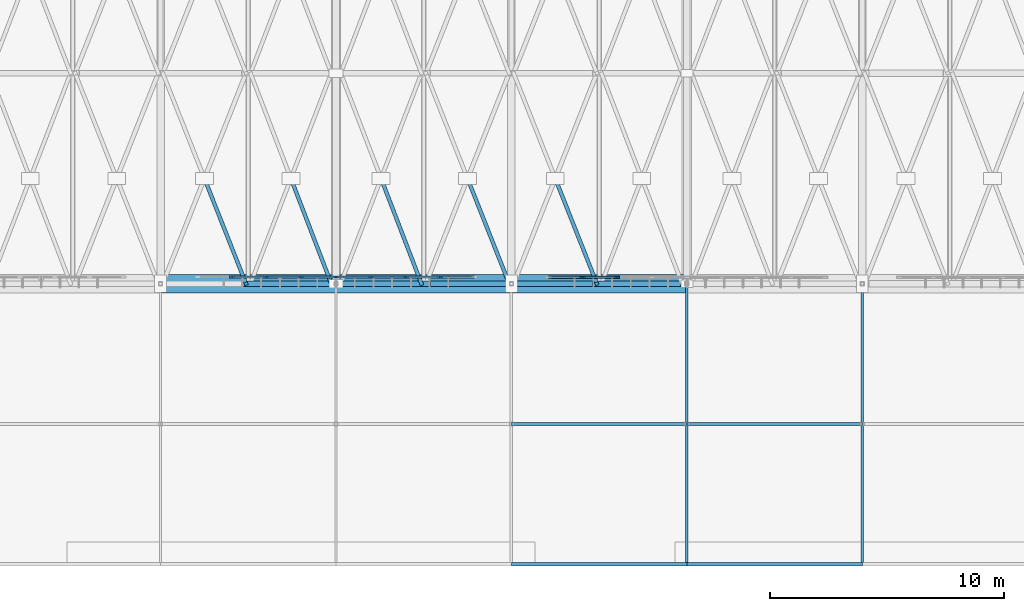
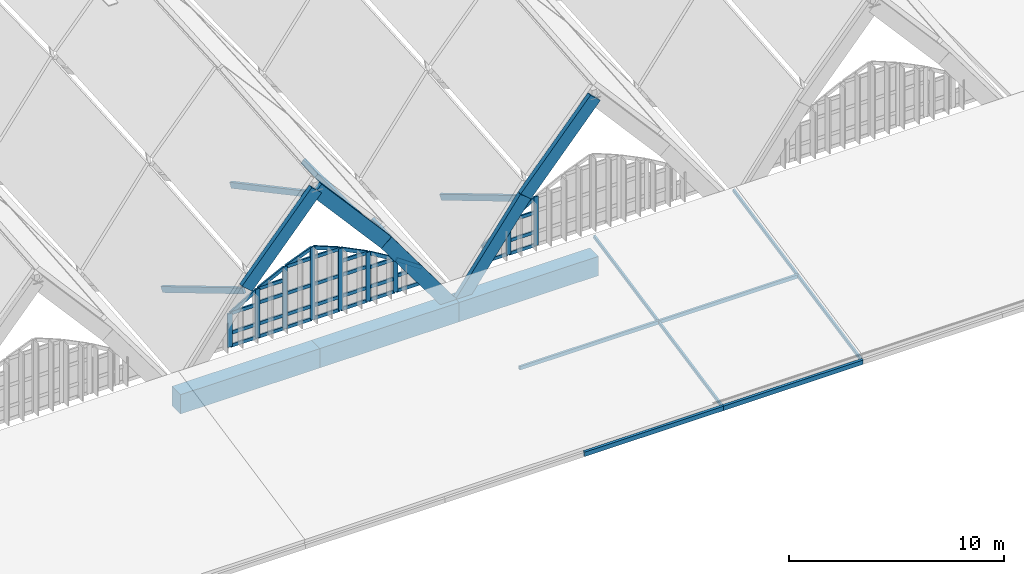
# One storey, part 34 of 93: 58 members, 8 beams, 2 elements without a shape of their own.
"""IFC4 building model written with IfcOpenShell, lengths in metres."""

from ifc_helpers import new_model, si_unit, direction, frame, origin, origin_2d, place, context, subcontext, project, spatial, rectangle, hollow_rectangle, extrude, material, material_profile, profile_set, type_object, element, aggregate, save


model = new_model("IFC4")

# Units and contexts
model_context = context("Model", 3, precision=1e-05, world=origin(), true_north=direction((0.0, 1.0)))
body_context = subcontext(model_context, "Body", "Model", "MODEL_VIEW")
ifc_project = project(units=[si_unit("LENGTHUNIT", "METRE"), si_unit("AREAUNIT", "SQUARE_METRE"), si_unit("VOLUMEUNIT", "CUBIC_METRE"), si_unit("PLANEANGLEUNIT", "RADIAN"), si_unit("MASSUNIT", "GRAM", prefix="KILO")], contexts=[model_context])

# Site, building, storey
site_placement = place(None, origin())
site = spatial("IfcSite", under=ifc_project, at=site_placement, CompositionType="ELEMENT")
building_placement = place(site_placement, origin())
building = spatial("IfcBuilding", under=site, at=building_placement, Name="Vourika Railside Aquatics Centre", CompositionType="ELEMENT")
storey_placement = place(building_placement, frame((0.0, 0.0, 21.89990234375)))
storey = spatial("IfcBuildingStorey", under=building, at=storey_placement, Name="Roof", CompositionType="ELEMENT", Elevation=21.89990234375)

# Beams
ifc_material_1 = material(Name="Glulam GL32h", Category="wood")
ifc_material_profile_1 = material_profile(ifc_material_1, rectangle(XDim=0.239990234375, YDim=0.719970703125, at=origin_2d()), Name="GL32h 240x720")
ifc_profile_set_1 = profile_set([ifc_material_profile_1], Name="Glulam GL32h")
beam_type_1 = type_object("IfcBeamType", Name="BM-GL-ARCH-240x720", PredefinedType="BEAM", material=ifc_profile_set_1)
for number, where, z_axis, x_axis, name in (
    (1, (99.75, 12.0, -6.599853515625), (0.657258623263, 0.0, 0.75366511273), (0.0, 1.0, 0.0), "Pointed Glulam Vault Arch Rib GAR-0138"),
    (2, (103.5, 12.0, -2.2998046875), (0.657258623263, 0.0, -0.75366511273), (0.0, 1.0, 0.0), "Pointed Glulam Vault Arch Rib GAR-0139"),
):
    element("IfcBeam", number, at=place(storey_placement, frame(where, z_axis=z_axis, x_axis=x_axis)), inside=storey, type_object=beam_type_1, Name=name, PredefinedType="BEAM", context=body_context, shape_type="SweptSolid", body=[
        extrude(rectangle(XDim=0.239990234375, YDim=0.719970703125, at=origin_2d()), origin(), (0.0, 0.0, 1.0), 5.70556640625),
    ])
for number, where, z_axis, x_axis, name in (
    (3, (107.25, 12.0, -6.599853515625), (0.592383087934, 0.0, -0.805656426233), (0.0, 1.0, 0.0), "Pointed Glulam Vault Arch Rib GAR-0140"),
    (4, (111.0, 12.0, -11.699951171875), (0.592383087934, 0.0, 0.805656426233), (0.0, 1.0, 0.0), "Pointed Glulam Vault Arch Rib GAR-0171"),
):
    element("IfcBeam", number, at=place(storey_placement, frame(where, z_axis=z_axis, x_axis=x_axis)), inside=storey, type_object=beam_type_1, Name=name, PredefinedType="BEAM", context=body_context, shape_type="SweptSolid", body=[
        extrude(rectangle(XDim=0.239990234375, YDim=0.719970703125, at=origin_2d()), origin(), (0.0, 0.0, 1.0), 6.330322265625),
    ])
beam_placement = place(storey_placement, frame((114.75, 12.0, -6.599853515625), z_axis=(0.657258623263, 0.0, 0.75366511273), x_axis=(0.0, 1.0, 0.0)))
element("IfcBeam", 5, at=beam_placement, inside=storey, type_object=beam_type_1, Name="Pointed Glulam Vault Arch Rib GAR-0172", PredefinedType="BEAM", context=body_context, shape_type="SweptSolid", body=[
    extrude(rectangle(XDim=0.239990234375, YDim=0.719970703125, at=origin_2d()), origin(), (0.0, 0.0, 1.0), 5.70556640625),
])
ifc_material_2 = material(Name="Concrete C40/50", Category="concrete")
ifc_material_profile_2 = material_profile(ifc_material_2, rectangle(XDim=0.800048828125, YDim=1.10009765625, at=origin_2d()), Name="RC 800x1100")
ifc_profile_set_2 = profile_set([ifc_material_profile_2], Name="Concrete C40/50")
beam_type_2 = type_object("IfcBeamType", Name="BM-RING-800x1100", PredefinedType="BEAM", material=ifc_profile_set_2)
for number, where, z_axis, x_axis, name in (
    (6, (96.0, 12.0, -11.699951171875), (1.0, 0.0, 0.0), (0.0, 1.0, 0.0), "Vault Springing Ring Beam S (96.0-103.5)"),
    (7, (103.5, 12.0, -11.699951171875), (1.0, 0.0, 0.0), (0.0, 1.0, 0.0), "Vault Springing Ring Beam S (103.5-111.0)"),
    (8, (111.0, 12.0, -11.699951171875), (1.0, 0.0, 0.0), (0.0, 1.0, 0.0), "Vault Springing Ring Beam S (111.0-118.5)"),
):
    element("IfcBeam", number, at=place(storey_placement, frame(where, z_axis=z_axis, x_axis=x_axis)), inside=storey, type_object=beam_type_2, Name=name, PredefinedType="BEAM", context=body_context, shape_type="SweptSolid", body=[
        extrude(rectangle(XDim=0.800048828125, YDim=1.10009765625, at=origin_2d()), origin(), (0.0, 0.0, 1.0), 7.5),
    ])

# Curtain wall, members
ifc_material_3 = material(Name="Anodized thermally broken aluminium", Category="aluminium")
curtain_wall_type_1 = type_object("IfcCurtainWallType", Name="CW-VLTS1", PredefinedType="NOTDEFINED", material=ifc_material_3)
curtain_wall_1_placement = place(storey_placement, origin())
curtain_wall_1 = element("IfcCurtainWall", 9, at=curtain_wall_1_placement, inside=storey, type_object=curtain_wall_type_1, Name="South Boulevard Pointed-Arch Clerestory Curtain Wall Bay 6", PredefinedType="NOTDEFINED")
ifc_material_4 = material(Name="Anodized aluminium mullion", Category="aluminium")
ifc_material_profile_3 = material_profile(ifc_material_4, rectangle(XDim=0.08203125, YDim=0.235107421875, at=origin_2d()), Name="ALU-M 82x235")
ifc_profile_set_3 = profile_set([ifc_material_profile_3], Name="Anodized aluminium mullion")
member_type_1 = type_object("IfcMemberType", Name="CWM-VLTS1", PredefinedType="MULLION", material=ifc_profile_set_3)
member_1_placement = place(storey_placement, frame((114.03759765625, 12.280029296875, -9.8798828125), z_axis=(0.0, 0.0, 1.0), x_axis=(0.0, 1.0, 0.0)))
member_1 = element("IfcMember", 10, at=member_1_placement, type_object=member_type_1, Name="CW03 arch mullion 2", PredefinedType="MULLION", context=body_context, shape_type="SweptSolid", body=[
    extrude(rectangle(XDim=0.08203125, YDim=0.235107421875, at=origin_2d()), origin(), (0.0, 0.0, 1.0), 1.906005859375),
])
member_2_placement = place(storey_placement, frame((115.52490234375, 12.280029296875, -9.8798828125), z_axis=(0.0, 0.0, 1.0), x_axis=(0.0, 1.0, 0.0)))
member_2 = element("IfcMember", 11, at=member_2_placement, type_object=member_type_1, Name="CW03 arch mullion 3", PredefinedType="MULLION", context=body_context, shape_type="SweptSolid", body=[
    extrude(rectangle(XDim=0.08203125, YDim=0.235107421875, at=origin_2d()), origin(), (0.0, 0.0, 1.0), 2.7890625),
])

curtain_wall_type_2 = type_object("IfcCurtainWallType", Name="CW-VLTS2", PredefinedType="NOTDEFINED", material=ifc_material_3)
curtain_wall_2_placement = place(storey_placement, origin())
curtain_wall_2 = element("IfcCurtainWall", 12, at=curtain_wall_2_placement, inside=storey, type_object=curtain_wall_type_2, Name="South Boulevard Pointed-Arch Clerestory Curtain Wall Bay 5", PredefinedType="NOTDEFINED")
ifc_material_profile_4 = material_profile(ifc_material_4, rectangle(XDim=0.087890625, YDim=0.2451171875, at=origin_2d()), Name="ALU-M 88x245")
ifc_profile_set_4 = profile_set([ifc_material_profile_4], Name="Anodized aluminium mullion")
member_type_2 = type_object("IfcMemberType", Name="CWM-VLTS2", PredefinedType="MULLION", material=ifc_profile_set_4)
member_3_placement = place(storey_placement, frame((99.03759765625, 12.280029296875, -9.8798828125), z_axis=(0.0, 0.0, 1.0), x_axis=(0.0, 1.0, 0.0)))
member_3 = element("IfcMember", 13, at=member_3_placement, type_object=member_type_2, Name="CW04 arch mullion 2", PredefinedType="MULLION", context=body_context, shape_type="SweptSolid", body=[
    extrude(rectangle(XDim=0.087890625, YDim=0.2451171875, at=origin_2d()), origin(), (0.0, 0.0, 1.0), 1.906005859375),
])
member_4_placement = place(storey_placement, frame((100.52490234375, 12.280029296875, -9.8798828125), z_axis=(0.0, 0.0, 1.0), x_axis=(0.0, 1.0, 0.0)))
member_4 = element("IfcMember", 14, at=member_4_placement, type_object=member_type_2, Name="CW04 arch mullion 3", PredefinedType="MULLION", context=body_context, shape_type="SweptSolid", body=[
    extrude(rectangle(XDim=0.087890625, YDim=0.2451171875, at=origin_2d()), origin(), (0.0, 0.0, 1.0), 2.7890625),
])
member_5_placement = place(storey_placement, frame((102.012451171875, 12.280029296875, -9.8798828125), z_axis=(0.0, 0.0, 1.0), x_axis=(0.0, 1.0, 0.0)))
member_5 = element("IfcMember", 15, at=member_5_placement, type_object=member_type_2, Name="CW04 arch mullion 4", PredefinedType="MULLION", context=body_context, shape_type="SweptSolid", body=[
    extrude(rectangle(XDim=0.087890625, YDim=0.2451171875, at=origin_2d()), origin(), (0.0, 0.0, 1.0), 3.531005859375),
])
member_6_placement = place(storey_placement, frame((103.5, 12.280029296875, -9.8798828125), z_axis=(0.0, 0.0, 1.0), x_axis=(0.0, 1.0, 0.0)))
member_6 = element("IfcMember", 16, at=member_6_placement, type_object=member_type_2, Name="CW04 arch mullion 5", PredefinedType="MULLION", context=body_context, shape_type="SweptSolid", body=[
    extrude(rectangle(XDim=0.087890625, YDim=0.2451171875, at=origin_2d()), origin(), (0.0, 0.0, 1.0), 4.1298828125),
])
member_7_placement = place(storey_placement, frame((104.987548828125, 12.280029296875, -9.8798828125), z_axis=(0.0, 0.0, 1.0), x_axis=(0.0, 1.0, 0.0)))
member_7 = element("IfcMember", 17, at=member_7_placement, type_object=member_type_2, Name="CW04 arch mullion 6", PredefinedType="MULLION", context=body_context, shape_type="SweptSolid", body=[
    extrude(rectangle(XDim=0.087890625, YDim=0.2451171875, at=origin_2d()), origin(), (0.0, 0.0, 1.0), 3.531005859375),
])
member_8_placement = place(storey_placement, frame((106.47509765625, 12.280029296875, -9.8798828125), z_axis=(0.0, 0.0, 1.0), x_axis=(0.0, 1.0, 0.0)))
member_8 = element("IfcMember", 18, at=member_8_placement, type_object=member_type_2, Name="CW04 arch mullion 7", PredefinedType="MULLION", context=body_context, shape_type="SweptSolid", body=[
    extrude(rectangle(XDim=0.087890625, YDim=0.2451171875, at=origin_2d()), origin(), (0.0, 0.0, 1.0), 2.7890625),
])
member_9_placement = place(storey_placement, frame((107.96240234375, 12.280029296875, -9.8798828125), z_axis=(0.0, 0.0, 1.0), x_axis=(0.0, 1.0, 0.0)))
member_9 = element("IfcMember", 19, at=member_9_placement, type_object=member_type_2, Name="CW04 arch mullion 8", PredefinedType="MULLION", context=body_context, shape_type="SweptSolid", body=[
    extrude(rectangle(XDim=0.087890625, YDim=0.2451171875, at=origin_2d()), origin(), (0.0, 0.0, 1.0), 1.906005859375),
])

# Member
ifc_material_5 = material(Name="Anodized aluminium transom", Category="aluminium")
ifc_material_profile_5 = material_profile(ifc_material_5, rectangle(XDim=0.08203125, YDim=0.18505859375, at=origin_2d()), Name="ALU-T 82x185")
ifc_profile_set_5 = profile_set([ifc_material_profile_5], Name="Anodized aluminium transom")
member_type_3 = type_object("IfcMemberType", Name="CWT-VLTS1", PredefinedType="USERDEFINED", material=ifc_profile_set_5)
member_10_placement = place(storey_placement, frame((112.632080078125, 12.280029296875, -9.8388671875), z_axis=(1.0, 0.0, 0.0), x_axis=(0.0, 1.0, 0.0)))
member_10 = element("IfcMember", 20, at=member_10_placement, type_object=member_type_3, Name="CW03 transom 1.1", ObjectType="TRANSOM", PredefinedType="USERDEFINED", context=body_context, shape_type="SweptSolid", body=[
    extrude(rectangle(XDim=0.08203125, YDim=0.18505859375, at=origin_2d()), origin(), (0.0, 0.0, 1.0), 1.364501953125),
])

member_11_placement = place(storey_placement, frame((112.632080078125, 12.280029296875, -8.98095703125), z_axis=(1.0, 0.0, 0.0), x_axis=(0.0, 1.0, 0.0)))
member_11 = element("IfcMember", 21, at=member_11_placement, type_object=member_type_3, Name="CW03 transom 1.2", ObjectType="TRANSOM", PredefinedType="USERDEFINED", context=body_context, shape_type="SweptSolid", body=[
    extrude(rectangle(XDim=0.08203125, YDim=0.18505859375, at=origin_2d()), origin(), (0.0, 0.0, 1.0), 1.364501953125),
])

member_12_placement = place(storey_placement, frame((112.632080078125, 12.280029296875, -8.98095703125), z_axis=(0.823796708212, 0.0, 0.566885335442), x_axis=(0.0, 1.0, 0.0)))
member_12 = element("IfcMember", 22, at=member_12_placement, type_object=member_type_3, Name="CW03 arch chord transom 1", ObjectType="TRANSOM", PredefinedType="USERDEFINED", context=body_context, shape_type="SweptSolid", body=[
    extrude(rectangle(XDim=0.08203125, YDim=0.18505859375, at=origin_2d()), origin(), (0.0, 0.0, 1.0), 1.65625),
])

member_13_placement = place(storey_placement, frame((114.07861328125, 12.280029296875, -9.8388671875), z_axis=(1.0, 0.0, 0.0), x_axis=(0.0, 1.0, 0.0)))
member_13 = element("IfcMember", 23, at=member_13_placement, type_object=member_type_3, Name="CW03 transom 2.1", ObjectType="TRANSOM", PredefinedType="USERDEFINED", context=body_context, shape_type="SweptSolid", body=[
    extrude(rectangle(XDim=0.08203125, YDim=0.18505859375, at=origin_2d()), origin(), (0.0, 0.0, 1.0), 1.4052734375),
])

member_14_placement = place(storey_placement, frame((114.07861328125, 12.280029296875, -9.099853515625), z_axis=(1.0, 0.0, 0.0), x_axis=(0.0, 1.0, 0.0)))
member_14 = element("IfcMember", 24, at=member_14_placement, type_object=member_type_3, Name="CW03 transom 2.2", ObjectType="TRANSOM", PredefinedType="USERDEFINED", context=body_context, shape_type="SweptSolid", body=[
    extrude(rectangle(XDim=0.08203125, YDim=0.18505859375, at=origin_2d()), origin(), (0.0, 0.0, 1.0), 1.4052734375),
])

member_15_placement = place(storey_placement, frame((114.07861328125, 12.280029296875, -7.989013671875), z_axis=(1.0, 0.0, 0.0), x_axis=(0.0, 1.0, 0.0)))
member_15 = element("IfcMember", 25, at=member_15_placement, type_object=member_type_3, Name="CW03 transom 2.3", ObjectType="TRANSOM", PredefinedType="USERDEFINED", context=body_context, shape_type="SweptSolid", body=[
    extrude(rectangle(XDim=0.08203125, YDim=0.18505859375, at=origin_2d()), origin(), (0.0, 0.0, 1.0), 1.4052734375),
])

member_16_placement = place(storey_placement, frame((114.07861328125, 12.280029296875, -7.989013671875), z_axis=(0.859633394337, 0.0, 0.510911369359), x_axis=(0.0, 1.0, 0.0)))
member_16 = element("IfcMember", 26, at=member_16_placement, type_object=member_type_3, Name="CW03 arch chord transom 2", ObjectType="TRANSOM", PredefinedType="USERDEFINED", context=body_context, shape_type="SweptSolid", body=[
    extrude(rectangle(XDim=0.08203125, YDim=0.18505859375, at=origin_2d()), origin(), (0.0, 0.0, 1.0), 1.634765625),
])

aggregate(curtain_wall_1, [member_1, member_2, member_10, member_11, member_12, member_13, member_14, member_15, member_16])

ifc_material_profile_6 = material_profile(ifc_material_5, rectangle(XDim=0.087890625, YDim=0.19189453125, at=origin_2d()), Name="ALU-T 88x192")
ifc_profile_set_6 = profile_set([ifc_material_profile_6], Name="Anodized aluminium transom")
member_type_4 = type_object("IfcMemberType", Name="CWT-VLTS2", PredefinedType="USERDEFINED", material=ifc_profile_set_6)
member_17_placement = place(storey_placement, frame((99.08154296875, 12.280029296875, -9.8359375), z_axis=(1.0, 0.0, 0.0), x_axis=(0.0, 1.0, 0.0)))
member_17 = element("IfcMember", 27, at=member_17_placement, type_object=member_type_4, Name="CW04 transom 2.1", ObjectType="TRANSOM", PredefinedType="USERDEFINED", context=body_context, shape_type="SweptSolid", body=[
    extrude(rectangle(XDim=0.087890625, YDim=0.19189453125, at=origin_2d()), origin(), (0.0, 0.0, 1.0), 1.3994140625),
])

member_18_placement = place(storey_placement, frame((99.08154296875, 12.280029296875, -9.099853515625), z_axis=(1.0, 0.0, 0.0), x_axis=(0.0, 1.0, 0.0)))
member_18 = element("IfcMember", 28, at=member_18_placement, type_object=member_type_4, Name="CW04 transom 2.2", ObjectType="TRANSOM", PredefinedType="USERDEFINED", context=body_context, shape_type="SweptSolid", body=[
    extrude(rectangle(XDim=0.087890625, YDim=0.19189453125, at=origin_2d()), origin(), (0.0, 0.0, 1.0), 1.3994140625),
])

member_19_placement = place(storey_placement, frame((99.08154296875, 12.280029296875, -7.989990234375), z_axis=(1.0, 0.0, 0.0), x_axis=(0.0, 1.0, 0.0)))
member_19 = element("IfcMember", 29, at=member_19_placement, type_object=member_type_4, Name="CW04 transom 2.3", ObjectType="TRANSOM", PredefinedType="USERDEFINED", context=body_context, shape_type="SweptSolid", body=[
    extrude(rectangle(XDim=0.087890625, YDim=0.19189453125, at=origin_2d()), origin(), (0.0, 0.0, 1.0), 1.3994140625),
])

member_20_placement = place(storey_placement, frame((99.08154296875, 12.280029296875, -7.989990234375), z_axis=(0.859813585162, 0.0, 0.510608067671), x_axis=(0.0, 1.0, 0.0)))
member_20 = element("IfcMember", 30, at=member_20_placement, type_object=member_type_4, Name="CW04 arch chord transom 2", ObjectType="TRANSOM", PredefinedType="USERDEFINED", context=body_context, shape_type="SweptSolid", body=[
    extrude(rectangle(XDim=0.087890625, YDim=0.19189453125, at=origin_2d()), origin(), (0.0, 0.0, 1.0), 1.627685546875),
])

member_21_placement = place(storey_placement, frame((100.569091796875, 12.280029296875, -9.8359375), z_axis=(1.0, 0.0, 0.0), x_axis=(0.0, 1.0, 0.0)))
member_21 = element("IfcMember", 31, at=member_21_placement, type_object=member_type_4, Name="CW04 transom 3.1", ObjectType="TRANSOM", PredefinedType="USERDEFINED", context=body_context, shape_type="SweptSolid", body=[
    extrude(rectangle(XDim=0.087890625, YDim=0.19189453125, at=origin_2d()), origin(), (0.0, 0.0, 1.0), 1.3994140625),
])

member_22_placement = place(storey_placement, frame((100.569091796875, 12.280029296875, -9.099853515625), z_axis=(1.0, 0.0, 0.0), x_axis=(0.0, 1.0, 0.0)))
member_22 = element("IfcMember", 32, at=member_22_placement, type_object=member_type_4, Name="CW04 transom 3.2", ObjectType="TRANSOM", PredefinedType="USERDEFINED", context=body_context, shape_type="SweptSolid", body=[
    extrude(rectangle(XDim=0.087890625, YDim=0.19189453125, at=origin_2d()), origin(), (0.0, 0.0, 1.0), 1.3994140625),
])

member_23_placement = place(storey_placement, frame((100.569091796875, 12.280029296875, -7.89990234375), z_axis=(1.0, 0.0, 0.0), x_axis=(0.0, 1.0, 0.0)))
member_23 = element("IfcMember", 33, at=member_23_placement, type_object=member_type_4, Name="CW04 transom 3.3", ObjectType="TRANSOM", PredefinedType="USERDEFINED", context=body_context, shape_type="SweptSolid", body=[
    extrude(rectangle(XDim=0.087890625, YDim=0.19189453125, at=origin_2d()), origin(), (0.0, 0.0, 1.0), 1.3994140625),
])

member_24_placement = place(storey_placement, frame((100.569091796875, 12.280029296875, -7.11083984375), z_axis=(1.0, 0.0, 0.0), x_axis=(0.0, 1.0, 0.0)))
member_24 = element("IfcMember", 34, at=member_24_placement, type_object=member_type_4, Name="CW04 transom 3.4", ObjectType="TRANSOM", PredefinedType="USERDEFINED", context=body_context, shape_type="SweptSolid", body=[
    extrude(rectangle(XDim=0.087890625, YDim=0.19189453125, at=origin_2d()), origin(), (0.0, 0.0, 1.0), 1.3994140625),
])

member_25_placement = place(storey_placement, frame((100.569091796875, 12.280029296875, -7.11083984375), z_axis=(0.894863891939, 0.0, 0.446339125446), x_axis=(0.0, 1.0, 0.0)))
member_25 = element("IfcMember", 35, at=member_25_placement, type_object=member_type_4, Name="CW04 arch chord transom 3", ObjectType="TRANSOM", PredefinedType="USERDEFINED", context=body_context, shape_type="SweptSolid", body=[
    extrude(rectangle(XDim=0.087890625, YDim=0.19189453125, at=origin_2d()), origin(), (0.0, 0.0, 1.0), 1.563720703125),
])

member_26_placement = place(storey_placement, frame((102.056396484375, 12.280029296875, -9.8359375), z_axis=(1.0, 0.0, 0.0), x_axis=(0.0, 1.0, 0.0)))
member_26 = element("IfcMember", 36, at=member_26_placement, type_object=member_type_4, Name="CW04 transom 4.1", ObjectType="TRANSOM", PredefinedType="USERDEFINED", context=body_context, shape_type="SweptSolid", body=[
    extrude(rectangle(XDim=0.087890625, YDim=0.19189453125, at=origin_2d()), origin(), (0.0, 0.0, 1.0), 1.399658203125),
])

member_27_placement = place(storey_placement, frame((102.056396484375, 12.280029296875, -9.099853515625), z_axis=(1.0, 0.0, 0.0), x_axis=(0.0, 1.0, 0.0)))
member_27 = element("IfcMember", 37, at=member_27_placement, type_object=member_type_4, Name="CW04 transom 4.2", ObjectType="TRANSOM", PredefinedType="USERDEFINED", context=body_context, shape_type="SweptSolid", body=[
    extrude(rectangle(XDim=0.087890625, YDim=0.19189453125, at=origin_2d()), origin(), (0.0, 0.0, 1.0), 1.399658203125),
])

member_28_placement = place(storey_placement, frame((102.056396484375, 12.280029296875, -7.89990234375), z_axis=(1.0, 0.0, 0.0), x_axis=(0.0, 1.0, 0.0)))
member_28 = element("IfcMember", 38, at=member_28_placement, type_object=member_type_4, Name="CW04 transom 4.3", ObjectType="TRANSOM", PredefinedType="USERDEFINED", context=body_context, shape_type="SweptSolid", body=[
    extrude(rectangle(XDim=0.087890625, YDim=0.19189453125, at=origin_2d()), origin(), (0.0, 0.0, 1.0), 1.399658203125),
])

member_29_placement = place(storey_placement, frame((102.056396484375, 12.280029296875, -6.372802734375), z_axis=(1.0, 0.0, 0.0), x_axis=(0.0, 1.0, 0.0)))
member_29 = element("IfcMember", 39, at=member_29_placement, type_object=member_type_4, Name="CW04 transom 4.4", ObjectType="TRANSOM", PredefinedType="USERDEFINED", context=body_context, shape_type="SweptSolid", body=[
    extrude(rectangle(XDim=0.087890625, YDim=0.19189453125, at=origin_2d()), origin(), (0.0, 0.0, 1.0), 1.399658203125),
])

member_30_placement = place(storey_placement, frame((102.056396484375, 12.280029296875, -6.372802734375), z_axis=(0.927760697817, 0.0, 0.373175679254), x_axis=(0.0, 1.0, 0.0)))
member_30 = element("IfcMember", 40, at=member_30_placement, type_object=member_type_4, Name="CW04 arch chord transom 4", ObjectType="TRANSOM", PredefinedType="USERDEFINED", context=body_context, shape_type="SweptSolid", body=[
    extrude(rectangle(XDim=0.087890625, YDim=0.19189453125, at=origin_2d()), origin(), (0.0, 0.0, 1.0), 1.508544921875),
])

member_31_placement = place(storey_placement, frame((103.5439453125, 12.280029296875, -9.8359375), z_axis=(1.0, 0.0, 0.0), x_axis=(0.0, 1.0, 0.0)))
member_31 = element("IfcMember", 41, at=member_31_placement, type_object=member_type_4, Name="CW04 transom 5.1", ObjectType="TRANSOM", PredefinedType="USERDEFINED", context=body_context, shape_type="SweptSolid", body=[
    extrude(rectangle(XDim=0.087890625, YDim=0.19189453125, at=origin_2d()), origin(), (0.0, 0.0, 1.0), 1.399658203125),
])

member_32_placement = place(storey_placement, frame((103.5439453125, 12.280029296875, -9.099853515625), z_axis=(1.0, 0.0, 0.0), x_axis=(0.0, 1.0, 0.0)))
member_32 = element("IfcMember", 42, at=member_32_placement, type_object=member_type_4, Name="CW04 transom 5.2", ObjectType="TRANSOM", PredefinedType="USERDEFINED", context=body_context, shape_type="SweptSolid", body=[
    extrude(rectangle(XDim=0.087890625, YDim=0.19189453125, at=origin_2d()), origin(), (0.0, 0.0, 1.0), 1.399658203125),
])

member_33_placement = place(storey_placement, frame((103.5439453125, 12.280029296875, -7.89990234375), z_axis=(1.0, 0.0, 0.0), x_axis=(0.0, 1.0, 0.0)))
member_33 = element("IfcMember", 43, at=member_33_placement, type_object=member_type_4, Name="CW04 transom 5.3", ObjectType="TRANSOM", PredefinedType="USERDEFINED", context=body_context, shape_type="SweptSolid", body=[
    extrude(rectangle(XDim=0.087890625, YDim=0.19189453125, at=origin_2d()), origin(), (0.0, 0.0, 1.0), 1.399658203125),
])

member_34_placement = place(storey_placement, frame((103.5439453125, 12.280029296875, -6.372802734375), z_axis=(1.0, 0.0, 0.0), x_axis=(0.0, 1.0, 0.0)))
member_34 = element("IfcMember", 44, at=member_34_placement, type_object=member_type_4, Name="CW04 transom 5.4", ObjectType="TRANSOM", PredefinedType="USERDEFINED", context=body_context, shape_type="SweptSolid", body=[
    extrude(rectangle(XDim=0.087890625, YDim=0.19189453125, at=origin_2d()), origin(), (0.0, 0.0, 1.0), 1.399658203125),
])

member_35_placement = place(storey_placement, frame((103.5439453125, 12.280029296875, -5.809814453125), z_axis=(0.927760697817, 0.0, -0.373175679254), x_axis=(0.0, 1.0, 0.0)))
member_35 = element("IfcMember", 45, at=member_35_placement, type_object=member_type_4, Name="CW04 arch chord transom 5", ObjectType="TRANSOM", PredefinedType="USERDEFINED", context=body_context, shape_type="SweptSolid", body=[
    extrude(rectangle(XDim=0.087890625, YDim=0.19189453125, at=origin_2d()), origin(), (0.0, 0.0, 1.0), 1.508544921875),
])

member_36_placement = place(storey_placement, frame((105.031494140625, 12.280029296875, -9.8359375), z_axis=(1.0, 0.0, 0.0), x_axis=(0.0, 1.0, 0.0)))
member_36 = element("IfcMember", 46, at=member_36_placement, type_object=member_type_4, Name="CW04 transom 6.1", ObjectType="TRANSOM", PredefinedType="USERDEFINED", context=body_context, shape_type="SweptSolid", body=[
    extrude(rectangle(XDim=0.087890625, YDim=0.19189453125, at=origin_2d()), origin(), (0.0, 0.0, 1.0), 1.3994140625),
])

member_37_placement = place(storey_placement, frame((105.031494140625, 12.280029296875, -9.099853515625), z_axis=(1.0, 0.0, 0.0), x_axis=(0.0, 1.0, 0.0)))
member_37 = element("IfcMember", 47, at=member_37_placement, type_object=member_type_4, Name="CW04 transom 6.2", ObjectType="TRANSOM", PredefinedType="USERDEFINED", context=body_context, shape_type="SweptSolid", body=[
    extrude(rectangle(XDim=0.087890625, YDim=0.19189453125, at=origin_2d()), origin(), (0.0, 0.0, 1.0), 1.3994140625),
])

member_38_placement = place(storey_placement, frame((105.031494140625, 12.280029296875, -7.89990234375), z_axis=(1.0, 0.0, 0.0), x_axis=(0.0, 1.0, 0.0)))
member_38 = element("IfcMember", 48, at=member_38_placement, type_object=member_type_4, Name="CW04 transom 6.3", ObjectType="TRANSOM", PredefinedType="USERDEFINED", context=body_context, shape_type="SweptSolid", body=[
    extrude(rectangle(XDim=0.087890625, YDim=0.19189453125, at=origin_2d()), origin(), (0.0, 0.0, 1.0), 1.3994140625),
])

member_39_placement = place(storey_placement, frame((105.031494140625, 12.280029296875, -7.11083984375), z_axis=(1.0, 0.0, 0.0), x_axis=(0.0, 1.0, 0.0)))
member_39 = element("IfcMember", 49, at=member_39_placement, type_object=member_type_4, Name="CW04 transom 6.4", ObjectType="TRANSOM", PredefinedType="USERDEFINED", context=body_context, shape_type="SweptSolid", body=[
    extrude(rectangle(XDim=0.087890625, YDim=0.19189453125, at=origin_2d()), origin(), (0.0, 0.0, 1.0), 1.3994140625),
])

member_40_placement = place(storey_placement, frame((105.031494140625, 12.280029296875, -6.412841796875), z_axis=(0.894863891939, 0.0, -0.446339125446), x_axis=(0.0, 1.0, 0.0)))
member_40 = element("IfcMember", 50, at=member_40_placement, type_object=member_type_4, Name="CW04 arch chord transom 6", ObjectType="TRANSOM", PredefinedType="USERDEFINED", context=body_context, shape_type="SweptSolid", body=[
    extrude(rectangle(XDim=0.087890625, YDim=0.19189453125, at=origin_2d()), origin(), (0.0, 0.0, 1.0), 1.563720703125),
])

member_41_placement = place(storey_placement, frame((106.51904296875, 12.280029296875, -9.8359375), z_axis=(1.0, 0.0, 0.0), x_axis=(0.0, 1.0, 0.0)))
member_41 = element("IfcMember", 51, at=member_41_placement, type_object=member_type_4, Name="CW04 transom 7.1", ObjectType="TRANSOM", PredefinedType="USERDEFINED", context=body_context, shape_type="SweptSolid", body=[
    extrude(rectangle(XDim=0.087890625, YDim=0.19189453125, at=origin_2d()), origin(), (0.0, 0.0, 1.0), 1.3994140625),
])

member_42_placement = place(storey_placement, frame((106.51904296875, 12.280029296875, -9.099853515625), z_axis=(1.0, 0.0, 0.0), x_axis=(0.0, 1.0, 0.0)))
member_42 = element("IfcMember", 52, at=member_42_placement, type_object=member_type_4, Name="CW04 transom 7.2", ObjectType="TRANSOM", PredefinedType="USERDEFINED", context=body_context, shape_type="SweptSolid", body=[
    extrude(rectangle(XDim=0.087890625, YDim=0.19189453125, at=origin_2d()), origin(), (0.0, 0.0, 1.0), 1.3994140625),
])

member_43_placement = place(storey_placement, frame((106.51904296875, 12.280029296875, -7.989990234375), z_axis=(1.0, 0.0, 0.0), x_axis=(0.0, 1.0, 0.0)))
member_43 = element("IfcMember", 53, at=member_43_placement, type_object=member_type_4, Name="CW04 transom 7.3", ObjectType="TRANSOM", PredefinedType="USERDEFINED", context=body_context, shape_type="SweptSolid", body=[
    extrude(rectangle(XDim=0.087890625, YDim=0.19189453125, at=origin_2d()), origin(), (0.0, 0.0, 1.0), 1.3994140625),
])

member_44_placement = place(storey_placement, frame((106.51904296875, 12.280029296875, -7.158935546875), z_axis=(0.859813585162, 0.0, -0.510608067671), x_axis=(0.0, 1.0, 0.0)))
member_44 = element("IfcMember", 54, at=member_44_placement, type_object=member_type_4, Name="CW04 arch chord transom 7", ObjectType="TRANSOM", PredefinedType="USERDEFINED", context=body_context, shape_type="SweptSolid", body=[
    extrude(rectangle(XDim=0.087890625, YDim=0.19189453125, at=origin_2d()), origin(), (0.0, 0.0, 1.0), 1.627685546875),
])

member_45_placement = place(storey_placement, frame((108.006591796875, 12.280029296875, -9.8359375), z_axis=(1.0, 0.0, 0.0), x_axis=(0.0, 1.0, 0.0)))
member_45 = element("IfcMember", 55, at=member_45_placement, type_object=member_type_4, Name="CW04 transom 8.1", ObjectType="TRANSOM", PredefinedType="USERDEFINED", context=body_context, shape_type="SweptSolid", body=[
    extrude(rectangle(XDim=0.087890625, YDim=0.19189453125, at=origin_2d()), origin(), (0.0, 0.0, 1.0), 1.35546875),
])

member_46_placement = place(storey_placement, frame((108.006591796875, 12.280029296875, -8.97900390625), z_axis=(1.0, 0.0, 0.0), x_axis=(0.0, 1.0, 0.0)))
member_46 = element("IfcMember", 56, at=member_46_placement, type_object=member_type_4, Name="CW04 transom 8.2", ObjectType="TRANSOM", PredefinedType="USERDEFINED", context=body_context, shape_type="SweptSolid", body=[
    extrude(rectangle(XDim=0.087890625, YDim=0.19189453125, at=origin_2d()), origin(), (0.0, 0.0, 1.0), 1.35546875),
])

member_47_placement = place(storey_placement, frame((108.006591796875, 12.280029296875, -8.046875), z_axis=(0.823972633767, 0.0, -0.566629595771), x_axis=(0.0, 1.0, 0.0)))
member_47 = element("IfcMember", 57, at=member_47_placement, type_object=member_type_4, Name="CW04 arch chord transom 8", ObjectType="TRANSOM", PredefinedType="USERDEFINED", context=body_context, shape_type="SweptSolid", body=[
    extrude(rectangle(XDim=0.087890625, YDim=0.19189453125, at=origin_2d()), origin(), (0.0, 0.0, 1.0), 1.64501953125),
])

aggregate(curtain_wall_2, [member_3, member_4, member_5, member_6, member_7, member_8, member_9, member_17, member_18, member_19, member_20, member_21, member_22, member_23, member_24, member_25, member_26, member_27, member_28, member_29, member_30, member_31, member_32, member_33, member_34, member_35, member_36, member_37, member_38, member_39, member_40, member_41, member_42, member_43, member_44, member_45, member_46, member_47])

# Members
ifc_material_6 = material(Name="Glulam GL28h", Category="wood")
ifc_material_profile_7 = material_profile(ifc_material_6, rectangle(XDim=0.159912109375, YDim=0.320068359375, at=origin_2d()), Name="GL28h 160x320")
ifc_profile_set_7 = profile_set([ifc_material_profile_7], Name="Glulam GL28h")
member_type_5 = type_object("IfcMemberType", Name="MEM-GL-LATH2", PredefinedType="BRACE", material=ifc_profile_set_7)
member_48_placement = place(storey_placement, frame((99.655029296875, 12.0, -6.72021484375), z_axis=(-0.339212920269, 0.857546639199, -0.386714825576), x_axis=(-0.929892910811, -0.367830360933, 0.0)))
element("IfcMember", 58, at=member_48_placement, inside=storey, type_object=member_type_5, Name="Gridshell Split Counter Lath GLB1-0234", PredefinedType="BRACE", context=body_context, shape_type="SweptSolid", body=[
    extrude(rectangle(XDim=0.159912109375, YDim=0.320068359375, at=origin_2d()), origin(), (0.0, 0.0, 1.0), 5.24755859375),
])
member_49_placement = place(storey_placement, frame((103.300048828125, 12.0, -2.5205078125), z_axis=(-0.340375084547, 0.886629954547, -0.31310082325), x_axis=(-0.933569951957, -0.358395235463, 0.0)))
element("IfcMember", 59, at=member_49_placement, inside=storey, type_object=member_type_5, Name="Gridshell Split Counter Lath GLB1-0236", PredefinedType="BRACE", context=body_context, shape_type="SweptSolid", body=[
    extrude(rectangle(XDim=0.159912109375, YDim=0.320068359375, at=origin_2d()), origin(), (0.0, 0.0, 1.0), 5.075439453125),
])
member_50_placement = place(storey_placement, frame((107.155029296875, 12.0, -6.482177734375), z_axis=(-0.321554017818, 0.837603682367, 0.441614181057), x_axis=(-0.933569951957, -0.358395235463, 0.0)))
element("IfcMember", 60, at=member_50_placement, inside=storey, type_object=member_type_5, Name="Gridshell Split Counter Lath GLB1-0238", PredefinedType="BRACE", context=body_context, shape_type="SweptSolid", body=[
    extrude(rectangle(XDim=0.159912109375, YDim=0.320068359375, at=origin_2d()), origin(), (0.0, 0.0, 1.0), 5.37255859375),
])
member_51_placement = place(storey_placement, frame((110.905029296875, 12.0, -11.56201171875), z_axis=(-0.318021320636, 0.803973252223, 0.502483282639), x_axis=(-0.929892910811, -0.367830360933, 0.0)))
element("IfcMember", 61, at=member_51_placement, inside=storey, type_object=member_type_5, Name="Gridshell Split Counter Lath GLB1-0240", PredefinedType="BRACE", context=body_context, shape_type="SweptSolid", body=[
    extrude(rectangle(XDim=0.159912109375, YDim=0.320068359375, at=origin_2d()), origin(), (0.0, 0.0, 1.0), 5.59716796875),
])
member_52_placement = place(storey_placement, frame((114.655029296875, 12.0, -6.72021484375), z_axis=(-0.339212920269, 0.857546639199, -0.386714825576), x_axis=(-0.929892910811, -0.367830360933, 0.0)))
element("IfcMember", 62, at=member_52_placement, inside=storey, type_object=member_type_5, Name="Gridshell Split Counter Lath GLB1-0294", PredefinedType="BRACE", context=body_context, shape_type="SweptSolid", body=[
    extrude(rectangle(XDim=0.159912109375, YDim=0.320068359375, at=origin_2d()), origin(), (0.0, 0.0, 1.0), 5.24755859375),
])
ifc_material_7 = material(Name="Steel S355J2", Category="steel")
ifc_material_profile_8 = material_profile(ifc_material_7, hollow_rectangle(XDim=0.10009765625, YDim=0.179931640625, WallThickness=0.008056640625, at=origin_2d()), Name="RHS 180x100x8")
ifc_profile_set_8 = profile_set([ifc_material_profile_8], Name="Steel S355J2")
member_type_6 = type_object("IfcMemberType", Name="MEM-STL-RHS180", PredefinedType="RAFTER", material=ifc_profile_set_8)
for number, where, z_axis, x_axis, name in (
    (63, (118.5, 0.0, -12.699951171875), (0.0, 0.979788513636, 0.200036168098), (-1.0, 0.0, 0.0), "Changing Roof Sloped Rafter V4R-118.5"),
    (64, (126.0, 0.0, -12.699951171875), (0.0, 0.979788513636, 0.200036168098), (-1.0, 0.0, 0.0), "Changing Roof Sloped Rafter V4R-126.0"),
):
    element("IfcMember", number, at=place(storey_placement, frame(where, z_axis=z_axis, x_axis=x_axis)), inside=storey, type_object=member_type_6, Name=name, PredefinedType="RAFTER", context=body_context, shape_type="SweptSolid", body=[
        extrude(hollow_rectangle(XDim=0.10009765625, YDim=0.179931640625, WallThickness=0.008056640625, at=origin_2d()), origin(), (0.0, 0.0, 1.0), 12.24755859375),
    ])
ifc_material_profile_9 = material_profile(ifc_material_7, hollow_rectangle(XDim=0.1201171875, YDim=0.199951171875, WallThickness=0.008056640625, at=origin_2d()), Name="RHS 200x120x8")
ifc_profile_set_9 = profile_set([ifc_material_profile_9], Name="Steel S355J2")
member_type_7 = type_object("IfcMemberType", Name="MEM-STL-RHS200", PredefinedType="PURLIN", material=ifc_profile_set_9)
for number, where, z_axis, x_axis, name in (
    (65, (111.0, 6.0, -11.474853515625), (1.0, 0.0, 0.0), (0.0, 1.0, 0.0), "Changing Roof RHS Purlin V4P-111.0-118.5"),
    (66, (118.5, 6.0, -11.474853515625), (1.0, 0.0, 0.0), (0.0, 1.0, 0.0), "Changing Roof RHS Purlin V4P-118.5-126.0"),
):
    element("IfcMember", number, at=place(storey_placement, frame(where, z_axis=z_axis, x_axis=x_axis)), inside=storey, type_object=member_type_7, Name=name, PredefinedType="PURLIN", context=body_context, shape_type="SweptSolid", body=[
        extrude(hollow_rectangle(XDim=0.1201171875, YDim=0.199951171875, WallThickness=0.008056640625, at=origin_2d()), origin(), (0.0, 0.0, 1.0), 7.5),
    ])
ifc_material_profile_10 = material_profile(ifc_material_7, hollow_rectangle(XDim=0.14990234375, YDim=0.25, WallThickness=0.010009765625, at=origin_2d()), Name="RHS 250x150x10")
ifc_profile_set_10 = profile_set([ifc_material_profile_10], Name="Steel S355J2")
member_type_8 = type_object("IfcMemberType", Name="MEM-STL-RHS250", PredefinedType="PURLIN", material=ifc_profile_set_10)
for number, where, z_axis, x_axis, name in (
    (67, (111.0, 0.0, -12.719970703125), (1.0, 0.0, 0.0), (0.0, 1.0, 0.0), "Changing Roof Eave Purlin V4E-111.0-118.5"),
    (68, (118.5, 0.0, -12.719970703125), (1.0, 0.0, 0.0), (0.0, 1.0, 0.0), "Changing Roof Eave Purlin V4E-118.5-126.0"),
):
    element("IfcMember", number, at=place(storey_placement, frame(where, z_axis=z_axis, x_axis=x_axis)), inside=storey, type_object=member_type_8, Name=name, PredefinedType="PURLIN", context=body_context, shape_type="SweptSolid", body=[
        extrude(hollow_rectangle(XDim=0.14990234375, YDim=0.25, WallThickness=0.010009765625, at=origin_2d()), origin(), (0.0, 0.0, 1.0), 7.5),
    ])

save(model, "model.ifc")
